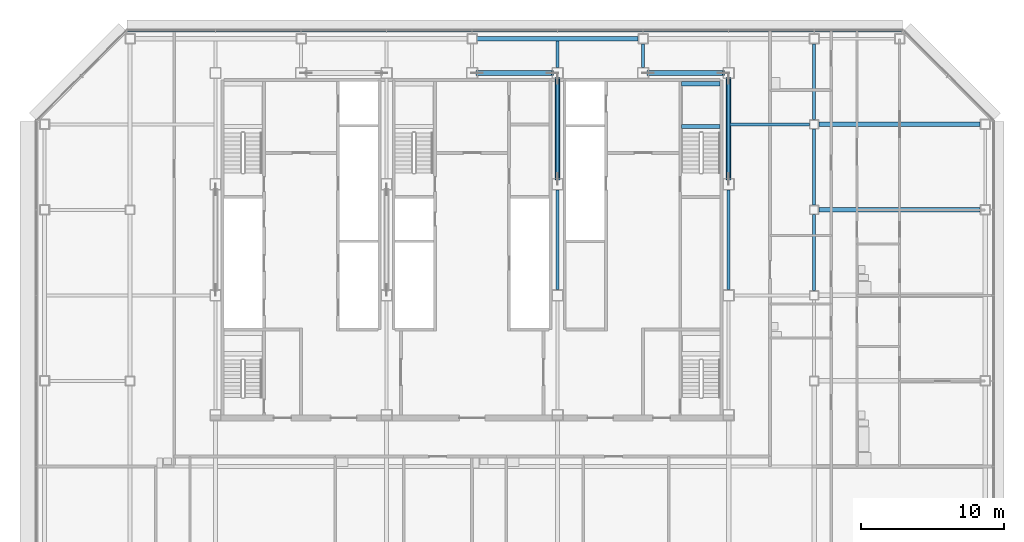
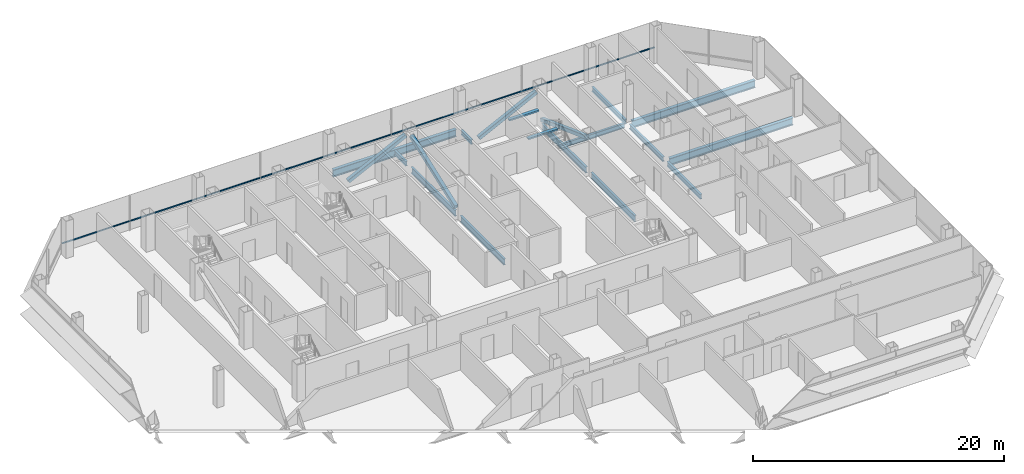
# One storey, part 13 of 26: 15 beams, 5 members, 1 element without a shape of its own.
"""IFC4 building model written with IfcOpenShell, lengths in metres."""

from ifc_helpers import new_model, si_unit, direction, frame, origin, origin_2d, place, context, subcontext, project, spatial, rectangle, hollow_rectangle, i_section, extrude, material, material_profile, profile_set, type_object, element, aggregate, save


model = new_model("IFC4")

# Units and contexts
model_context = context("Model", 3, precision=1e-05, world=origin(), true_north=direction((0.0, 1.0)))
body_context = subcontext(model_context, "Body", "Model", "MODEL_VIEW")
ifc_project = project(units=[si_unit("LENGTHUNIT", "METRE"), si_unit("AREAUNIT", "SQUARE_METRE"), si_unit("VOLUMEUNIT", "CUBIC_METRE"), si_unit("PLANEANGLEUNIT", "RADIAN"), si_unit("MASSUNIT", "GRAM", prefix="KILO")], contexts=[model_context])

# Site, building, storey
site_placement = place(None, origin())
site = spatial("IfcSite", under=ifc_project, at=site_placement, CompositionType="ELEMENT")
building_placement = place(site_placement, origin())
building = spatial("IfcBuilding", under=site, at=building_placement, Name="Sorahane Residences", CompositionType="ELEMENT")
storey_placement = place(building_placement, frame((0.0, 0.0, 158.199951171875)))
storey = spatial("IfcBuildingStorey", under=building, at=storey_placement, Name="L36", CompositionType="ELEMENT", Elevation=158.199951171875)

# Members
ifc_material_1 = material(Name="Steel Q355B", Category="steel")
ifc_material_profile_1 = material_profile(ifc_material_1, hollow_rectangle(XDim=0.35009765625, YDim=0.35009765625, WallThickness=0.01806640625, InnerFilletRadius=0.009033203125, OuterFilletRadius=0.027099609375, at=origin_2d()), Name="RHS 350x350x18")
ifc_profile_set_1 = profile_set([ifc_material_profile_1], Name="Steel Q355B")
member_type_1 = type_object("IfcMemberType", Name="Core brace RHS 350x350x18 Q355B", PredefinedType="BRACE", material=ifc_profile_set_1)
for number, where, z_axis, x_axis, name in (
    (1, (24.353271484375, 45.60009765625, 0.15185546875), (0.895794646235, 0.0, 0.444468167337), (0.0, 1.0, 0.0), "Core brace L36 y45.6-4"),
    (2, (36.353271484375, 45.60009765625, 0.15185546875), (0.895794646235, 0.0, 0.444468167337), (0.0, 1.0, 0.0), "Core brace L36 y45.6-6"),
):
    element("IfcMember", number, at=place(storey_placement, frame(where, z_axis=z_axis, x_axis=x_axis)), inside=storey, type_object=member_type_1, Name=name, PredefinedType="BRACE", context=body_context, shape_type="SweptSolid", body=[
        extrude(hollow_rectangle(XDim=0.35009765625, YDim=0.35009765625, WallThickness=0.01806640625, InnerFilletRadius=0.009033203125, OuterFilletRadius=0.027099609375, at=origin_2d()), origin(), (0.0, 0.0, 1.0), 5.9091796875),
    ])
for number, where, z_axis, x_axis, name in (
    (3, (42.0, 45.236328125, 0.16162109375), (0.0, -0.93830274295, 0.345814925318), (1.0, 0.0, 0.0), "Core brace L36 x42-3"),
    (4, (30.0, 38.16357421875, 0.16162109375), (0.0, 0.93830274295, 0.345814925318), (-1.0, 0.0, 0.0), "Core brace L36 x30-2"),
):
    element("IfcMember", number, at=place(storey_placement, frame(where, z_axis=z_axis, x_axis=x_axis)), inside=storey, type_object=member_type_1, Name=name, PredefinedType="BRACE", context=body_context, shape_type="SweptSolid", body=[
        extrude(hollow_rectangle(XDim=0.35009765625, YDim=0.35009765625, WallThickness=0.01806640625, InnerFilletRadius=0.009033203125, OuterFilletRadius=0.027099609375, at=origin_2d()), origin(), (0.0, 0.0, 1.0), 7.537841796875),
    ])

# Curtain wall, member
ifc_material_2 = material(Name="Dark low-e glass and black anodised aluminium", Category="aluminium")
curtain_wall_type = type_object("IfcCurtainWallType", Name="Curtain wall CW-1 Typical unitised wall", PredefinedType="NOTDEFINED", material=ifc_material_2)
curtain_wall_placement = place(storey_placement, origin())
curtain_wall = element("IfcCurtainWall", 5, at=curtain_wall_placement, inside=storey, type_object=curtain_wall_type, Name="CW-1 curtain wall L36 N1", PredefinedType="NOTDEFINED")
ifc_material_3 = material(Name="Black anodised aluminium", Category="aluminium")
ifc_material_profile_2 = material_profile(ifc_material_3, rectangle(XDim=0.10009765625, YDim=0.06005859375, at=origin_2d()), Name="Curtain wall transom CW-1 black anodised aluminium 60x100")
ifc_profile_set_2 = profile_set([ifc_material_profile_2], Name="Black anodised aluminium")
member_type_2 = type_object("IfcMemberType", Name="Curtain wall transom CW-1 black anodised aluminium 60x100", PredefinedType="USERDEFINED", material=ifc_profile_set_2)
member_placement = place(storey_placement, frame((54.198486328125, 48.530029296875, 0.900146484375), z_axis=(-1.0, 0.0, 0.0), x_axis=(0.0, -1.0, 0.0)))
member = element("IfcMember", 6, at=member_placement, type_object=member_type_2, Name="CW-1 transom L36 N1", ObjectType="TRANSOM", PredefinedType="USERDEFINED", context=body_context, shape_type="SweptSolid", body=[
    extrude(rectangle(XDim=0.10009765625, YDim=0.06005859375, at=origin_2d()), origin(), (0.0, 0.0, 1.0), 54.39697265625),
])
aggregate(curtain_wall, [member])

# Beams
ifc_material_4 = material(Name="Concrete C40", Category="concrete")
ifc_material_profile_3 = material_profile(ifc_material_4, rectangle(XDim=0.300048828125, YDim=0.139892578125, at=origin_2d()), Name="300x140")
ifc_profile_set_3 = profile_set([ifc_material_profile_3], Name="Concrete C40")
beam_type_1 = type_object("IfcBeamType", Name="RC landing beam 300 x 140 Concrete C40", PredefinedType="BEAM", material=ifc_profile_set_3)
for number, where, z_axis, x_axis, name in (
    (7, (38.699951171875, 41.85009765625, 1.530029296875), (1.0, 0.0, 0.0), (0.0, 1.0, 0.0), "Landing beam"),
    (8, (38.699951171875, 44.85009765625, 1.530029296875), (1.0, 0.0, 0.0), (0.0, 1.0, 0.0), "Landing beam"),
):
    element("IfcBeam", number, at=place(storey_placement, frame(where, z_axis=z_axis, x_axis=x_axis)), inside=storey, type_object=beam_type_1, Name=name, PredefinedType="BEAM", context=body_context, shape_type="SweptSolid", body=[
        extrude(rectangle(XDim=0.300048828125, YDim=0.139892578125, at=origin_2d()), origin(), (0.0, 0.0, 1.0), 2.699951171875),
    ])
ifc_material_5 = material(Name="Steel Q355B", Category="steel")
ifc_material_profile_4 = material_profile(ifc_material_5, i_section(OverallWidth=0.199951171875, OverallDepth=0.449951171875, WebThickness=0.009033203125, FlangeThickness=0.013916015625, FilletRadius=0.02001953125, at=origin_2d()), Name="HN 450x200x9x14")
ifc_profile_set_4 = profile_set([ifc_material_profile_4], Name="Steel Q355B")
beam_type_2 = type_object("IfcBeamType", Name="Steel floor beam HN 450x200x9x14 Q355B", PredefinedType="BEAM", material=ifc_profile_set_4)
beam_1_placement = place(storey_placement, frame((30.0, 46.0, -0.405029296875), z_axis=(0.0, 1.0, 0.0), x_axis=(-1.0, 0.0, 0.0)))
element("IfcBeam", 9, at=beam_1_placement, inside=storey, type_object=beam_type_2, Name="Beam L36 049", PredefinedType="BEAM", context=body_context, shape_type="SweptSolid", body=[
    extrude(i_section(OverallWidth=0.199951171875, OverallDepth=0.449951171875, WebThickness=0.009033203125, FlangeThickness=0.013916015625, FilletRadius=0.02001953125, at=origin_2d()), origin(), (0.0, 0.0, 1.0), 1.85009765625),
])
beam_2_placement = place(storey_placement, frame((36.0, 46.0, -0.405029296875), z_axis=(0.0, 1.0, 0.0), x_axis=(-1.0, 0.0, 0.0)))
element("IfcBeam", 10, at=beam_2_placement, inside=storey, type_object=beam_type_2, Name="Beam L36 051", PredefinedType="BEAM", context=body_context, shape_type="SweptSolid", body=[
    extrude(i_section(OverallWidth=0.199951171875, OverallDepth=0.449951171875, WebThickness=0.009033203125, FlangeThickness=0.013916015625, FilletRadius=0.02001953125, at=origin_2d()), origin(), (0.0, 0.0, 1.0), 1.64990234375),
])
for number, where, z_axis, x_axis, name in (
    (11, (48.0, 30.324951171875, -0.405029296875), (0.0, 1.0, 0.0), (-1.0, 0.0, 0.0), "Beam L36 061"),
    (12, (48.0, 36.324951171875, -0.405029296875), (0.0, 1.0, 0.0), (-1.0, 0.0, 0.0), "Beam L36 062"),
):
    element("IfcBeam", number, at=place(storey_placement, frame(where, z_axis=z_axis, x_axis=x_axis)), inside=storey, type_object=beam_type_2, Name=name, PredefinedType="BEAM", context=body_context, shape_type="SweptSolid", body=[
        extrude(i_section(OverallWidth=0.199951171875, OverallDepth=0.449951171875, WebThickness=0.009033203125, FlangeThickness=0.013916015625, FilletRadius=0.02001953125, at=origin_2d()), origin(), (0.0, 0.0, 1.0), 5.35009765625),
    ])
beam_3_placement = place(storey_placement, frame((48.0, 42.324951171875, -0.405029296875), z_axis=(0.0, 1.0, 0.0), x_axis=(-1.0, 0.0, 0.0)))
element("IfcBeam", 13, at=beam_3_placement, inside=storey, type_object=beam_type_2, Name="Beam L36 063", PredefinedType="BEAM", context=body_context, shape_type="SweptSolid", body=[
    extrude(i_section(OverallWidth=0.199951171875, OverallDepth=0.449951171875, WebThickness=0.009033203125, FlangeThickness=0.013916015625, FilletRadius=0.02001953125, at=origin_2d()), origin(), (0.0, 0.0, 1.0), 5.324951171875),
])
beam_4_placement = place(storey_placement, frame((42.10009765625, 42.0, -0.405029296875), z_axis=(1.0, 0.0, 0.0), x_axis=(0.0, 1.0, 0.0)))
element("IfcBeam", 14, at=beam_4_placement, inside=storey, type_object=beam_type_2, Name="Beam L36 091", PredefinedType="BEAM", context=body_context, shape_type="SweptSolid", body=[
    extrude(i_section(OverallWidth=0.199951171875, OverallDepth=0.449951171875, WebThickness=0.009033203125, FlangeThickness=0.013916015625, FilletRadius=0.02001953125, at=origin_2d()), origin(), (0.0, 0.0, 1.0), 5.574951171875),
])
ifc_material_6 = material(Name="Steel Q355B", Category="steel")
ifc_material_profile_5 = material_profile(ifc_material_6, i_section(OverallWidth=0.199951171875, OverallDepth=0.60009765625, WebThickness=0.010986328125, FlangeThickness=0.01708984375, FilletRadius=0.02392578125, at=origin_2d()), Name="HN 600x200x11x17")
ifc_profile_set_5 = profile_set([ifc_material_profile_5], Name="Steel Q355B")
beam_type_3 = type_object("IfcBeamType", Name="Steel floor beam HN 600x200x11x17 Q355B", PredefinedType="BEAM", material=ifc_profile_set_5)
for number, where, z_axis, x_axis, name in (
    (15, (30.0, 30.39990234375, -0.47998046875), (0.0, 1.0, 0.0), (-1.0, 0.0, 0.0), "Beam L36 047"),
    (16, (30.0, 38.199951171875, -0.47998046875), (0.0, 1.0, 0.0), (-1.0, 0.0, 0.0), "Beam L36 048"),
    (17, (42.0, 30.39990234375, -0.47998046875), (0.0, 1.0, 0.0), (-1.0, 0.0, 0.0), "Beam L36 055"),
    (18, (42.0, 38.199951171875, -0.47998046875), (0.0, 1.0, 0.0), (-1.0, 0.0, 0.0), "Beam L36 056"),
):
    element("IfcBeam", number, at=place(storey_placement, frame(where, z_axis=z_axis, x_axis=x_axis)), inside=storey, type_object=beam_type_3, Name=name, PredefinedType="BEAM", context=body_context, shape_type="SweptSolid", body=[
        extrude(i_section(OverallWidth=0.199951171875, OverallDepth=0.60009765625, WebThickness=0.010986328125, FlangeThickness=0.01708984375, FilletRadius=0.02392578125, at=origin_2d()), origin(), (0.0, 0.0, 1.0), 7.0),
    ])
ifc_material_7 = material(Name="Steel Q355B", Category="steel")
ifc_material_profile_6 = material_profile(ifc_material_7, i_section(OverallWidth=0.300048828125, OverallDepth=0.699951171875, WebThickness=0.012939453125, FlangeThickness=0.02392578125, FilletRadius=0.028076171875, at=origin_2d()), Name="HN 700x300x13x24")
ifc_profile_set_6 = profile_set([ifc_material_profile_6], Name="Steel Q355B")
beam_type_4 = type_object("IfcBeamType", Name="Steel floor beam HN 700x300x13x24 Q355B", PredefinedType="BEAM", material=ifc_profile_set_6)
beam_5_placement = place(storey_placement, frame((48.324951171875, 36.0, -0.530029296875), z_axis=(1.0, 0.0, 0.0), x_axis=(0.0, 1.0, 0.0)))
element("IfcBeam", 19, at=beam_5_placement, inside=storey, type_object=beam_type_4, Name="Beam L36 014", PredefinedType="BEAM", context=body_context, shape_type="SweptSolid", body=[
    extrude(i_section(OverallWidth=0.300048828125, OverallDepth=0.699951171875, WebThickness=0.012939453125, FlangeThickness=0.02392578125, FilletRadius=0.028076171875, at=origin_2d()), origin(), (0.0, 0.0, 1.0), 11.324951171875),
])
beam_6_placement = place(storey_placement, frame((24.35009765625, 48.0, -0.530029296875), z_axis=(1.0, 0.0, 0.0), x_axis=(0.0, 1.0, 0.0)))
element("IfcBeam", 20, at=beam_6_placement, inside=storey, type_object=beam_type_4, Name="Beam L36 017", PredefinedType="BEAM", context=body_context, shape_type="SweptSolid", body=[
    extrude(i_section(OverallWidth=0.300048828125, OverallDepth=0.699951171875, WebThickness=0.012939453125, FlangeThickness=0.02392578125, FilletRadius=0.028076171875, at=origin_2d()), origin(), (0.0, 0.0, 1.0), 11.2998046875),
])
beam_7_placement = place(storey_placement, frame((48.324951171875, 42.0, -0.530029296875), z_axis=(1.0, 0.0, 0.0), x_axis=(0.0, 1.0, 0.0)))
element("IfcBeam", 21, at=beam_7_placement, inside=storey, type_object=beam_type_4, Name="Beam L36 092", PredefinedType="BEAM", context=body_context, shape_type="SweptSolid", body=[
    extrude(i_section(OverallWidth=0.300048828125, OverallDepth=0.699951171875, WebThickness=0.012939453125, FlangeThickness=0.02392578125, FilletRadius=0.028076171875, at=origin_2d()), origin(), (0.0, 0.0, 1.0), 11.324951171875),
])

save(model, "model.ifc")
